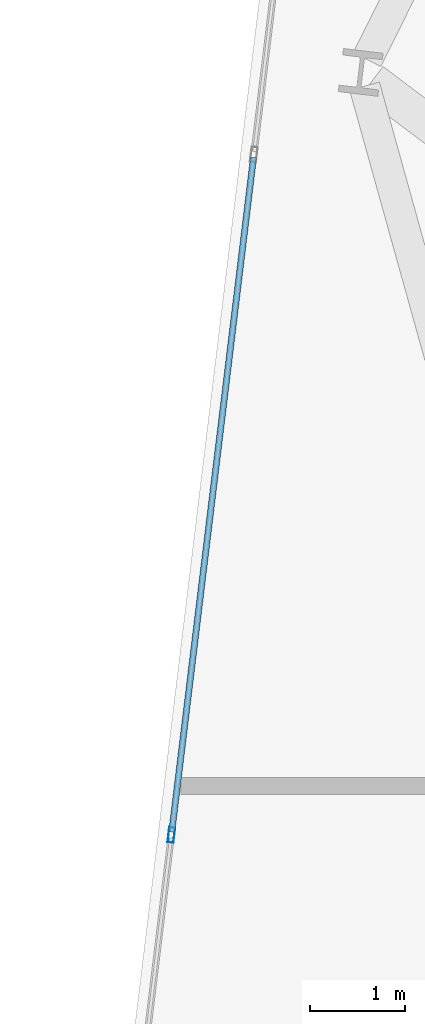
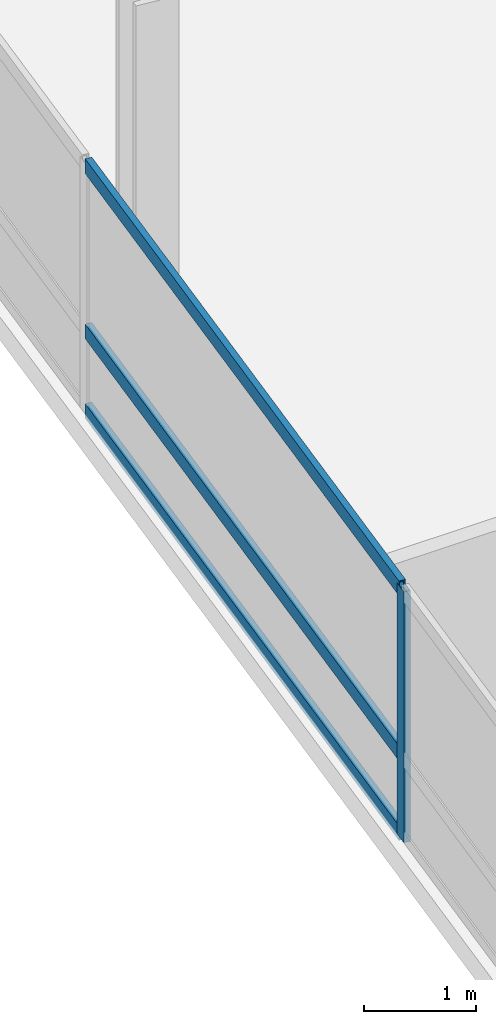
# One storey, part 6 of 26: 4 members, 1 element without a shape of its own.
"""IFC4 building model written with IfcOpenShell, lengths in metres."""

from ifc_helpers import new_model, si_unit, direction, frame, origin, origin_2d, place, context, subcontext, project, spatial, hollow_rectangle, extrude, material, layer, layer_set, material_profile, profile_set, type_object, element, aggregate, save


model = new_model("IFC4")

# Units and contexts
model_context = context("Model", 3, precision=1e-05, world=origin(), true_north=direction((0.0, 1.0)))
body_context = subcontext(model_context, "Body", "Model", "MODEL_VIEW")
ifc_project = project(units=[si_unit("LENGTHUNIT", "METRE"), si_unit("AREAUNIT", "SQUARE_METRE"), si_unit("VOLUMEUNIT", "CUBIC_METRE"), si_unit("PLANEANGLEUNIT", "RADIAN"), si_unit("MASSUNIT", "GRAM", prefix="KILO")], contexts=[model_context])

# Site, building, storey
site_placement = place(None, origin())
site = spatial("IfcSite", under=ifc_project, at=site_placement, CompositionType="ELEMENT")
building_placement = place(site_placement, origin())
building = spatial("IfcBuilding", under=site, at=building_placement, Name="Varnelok Gate Tower", CompositionType="ELEMENT")
storey_placement = place(building_placement, frame((0.0, 0.0, 125.39990234375)))
storey = spatial("IfcBuildingStorey", under=building, at=storey_placement, Name="L31", CompositionType="ELEMENT", Elevation=125.39990234375)

# Curtain wall, members
ifc_material = material(Name="Anodized Aluminum Alloy 6063-T6", Category="aluminium")
ifc_layer = layer(ifc_material, 0.179931640625)
ifc_layer_set = layer_set([ifc_layer], Name="Anodized Aluminum Alloy 6063-T6")
curtain_wall_type = type_object("IfcCurtainWallType", Name="CW3-HOTEL-VISION", PredefinedType="USERDEFINED", material=ifc_layer_set)
curtain_wall_placement = place(storey_placement, origin())
curtain_wall = element("IfcCurtainWall", 1, at=curtain_wall_placement, inside=storey, type_object=curtain_wall_type, Name="L31 West End Vision Curtain Wall", ObjectType="UNITISED CURTAIN WALL", PredefinedType="USERDEFINED")
ifc_material_profile_1 = material_profile(ifc_material, hollow_rectangle(XDim=0.06494140625, YDim=0.159912109375, WallThickness=0.00390625, at=origin_2d()), Name="ALU160X65X4")
ifc_profile_set_1 = profile_set([ifc_material_profile_1], Name="Anodized Aluminum Alloy 6063-T6")
member_type_1 = type_object("IfcMemberType", Name="CW-MULL-160", PredefinedType="MULLION", material=ifc_profile_set_1)
member_1_placement = place(storey_placement, frame((1.97607421875, 26.186279296875, 0.0), z_axis=(0.0, 0.0, 1.0), x_axis=(-0.99273188146, 0.120347046212, 0.0)))
member_1 = element("IfcMember", 2, at=member_1_placement, type_object=member_type_1, Name="CW3 mullion 3", PredefinedType="MULLION", context=body_context, shape_type="SweptSolid", body=[
    extrude(hollow_rectangle(XDim=0.06494140625, YDim=0.159912109375, WallThickness=0.00390625, at=origin_2d()), origin(), (0.0, 0.0, 1.0), 2.72998046875),
])
ifc_material_profile_2 = material_profile(ifc_material, hollow_rectangle(XDim=0.06494140625, YDim=0.159912109375, WallThickness=0.00390625, at=origin_2d()), Name="ALU160X65X4")
ifc_profile_set_2 = profile_set([ifc_material_profile_2], Name="Anodized Aluminum Alloy 6063-T6")
member_type_2 = type_object("IfcMemberType", Name="CW-TRAN-160", PredefinedType="USERDEFINED", material=ifc_profile_set_2)
member_2_placement = place(storey_placement, frame((1.97998046875, 26.218505859375, 0.03271484375), z_axis=(0.120344652138, 0.992732171687, 0.0), x_axis=(-0.992732171687, 0.120344652138, 0.0)))
member_2 = element("IfcMember", 3, at=member_2_placement, type_object=member_type_2, Name="CW3 transom 3.1", ObjectType="TRANSOM", PredefinedType="USERDEFINED", context=body_context, shape_type="SweptSolid", body=[
    extrude(hollow_rectangle(XDim=0.06494140625, YDim=0.159912109375, WallThickness=0.00390625, at=origin_2d()), origin(), (0.0, 0.0, 1.0), 7.134765625),
])
member_3_placement = place(storey_placement, frame((1.97998046875, 26.218505859375, 0.900146484375), z_axis=(0.120344652138, 0.992732171687, 0.0), x_axis=(-0.992732171687, 0.120344652138, 0.0)))
member_3 = element("IfcMember", 4, at=member_3_placement, type_object=member_type_2, Name="CW3 transom 3.2", ObjectType="TRANSOM", PredefinedType="USERDEFINED", context=body_context, shape_type="SweptSolid", body=[
    extrude(hollow_rectangle(XDim=0.06494140625, YDim=0.159912109375, WallThickness=0.00390625, at=origin_2d()), origin(), (0.0, 0.0, 1.0), 7.134765625),
])
member_4_placement = place(storey_placement, frame((1.97998046875, 26.218505859375, 2.697509765625), z_axis=(0.120344652138, 0.992732171687, 0.0), x_axis=(-0.992732171687, 0.120344652138, 0.0)))
member_4 = element("IfcMember", 5, at=member_4_placement, type_object=member_type_2, Name="CW3 transom 3.3", ObjectType="TRANSOM", PredefinedType="USERDEFINED", context=body_context, shape_type="SweptSolid", body=[
    extrude(hollow_rectangle(XDim=0.06494140625, YDim=0.159912109375, WallThickness=0.00390625, at=origin_2d()), origin(), (0.0, 0.0, 1.0), 7.134765625),
])
aggregate(curtain_wall, [member_1, member_2, member_3, member_4])

save(model, "model.ifc")
